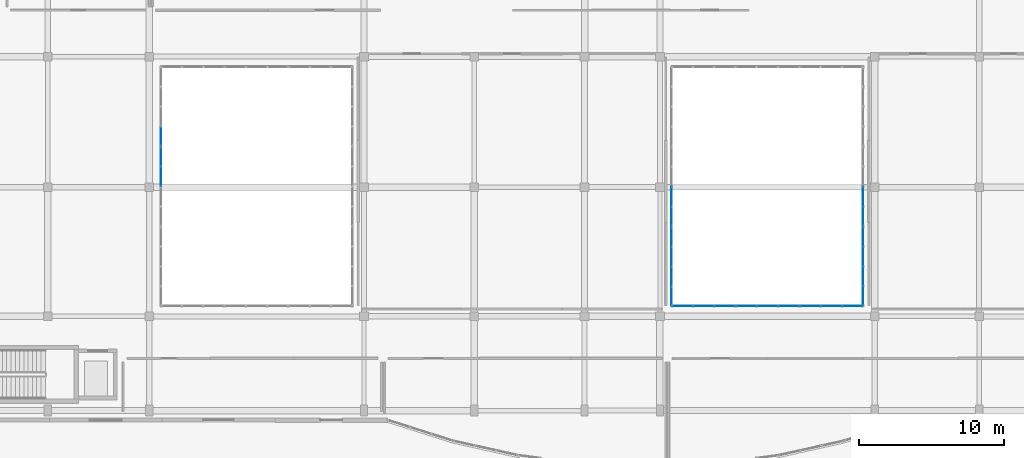
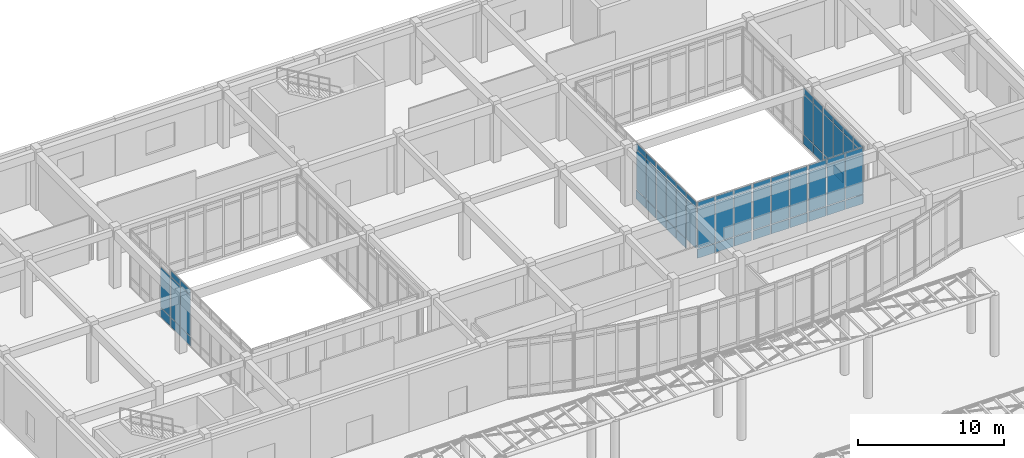
# One storey, part 85 of 121: 70 plates, 9 elements without a shape of their own.
"""IFC4 building model written with IfcOpenShell, lengths in metres."""

from ifc_helpers import new_model, si_unit, direction, frame, origin, origin_2d, place, context, subcontext, project, spatial, rectangle, extrude, material, layer, layer_set, type_object, element, aggregate, save


model = new_model("IFC4")

# Units and contexts
model_context = context("Model", 3, precision=1e-05, world=origin(), true_north=direction((0.0, 1.0)))
body_context = subcontext(model_context, "Body", "Model", "MODEL_VIEW")
ifc_project = project(units=[si_unit("LENGTHUNIT", "METRE"), si_unit("AREAUNIT", "SQUARE_METRE"), si_unit("VOLUMEUNIT", "CUBIC_METRE"), si_unit("PLANEANGLEUNIT", "RADIAN"), si_unit("MASSUNIT", "GRAM", prefix="KILO")], contexts=[model_context])

# Site, building, storey
site_placement = place(None, origin())
site = spatial("IfcSite", under=ifc_project, at=site_placement, CompositionType="ELEMENT")
building_placement = place(site_placement, origin())
building = spatial("IfcBuilding", under=site, at=building_placement, Name="Valcora Specialist Clinic", CompositionType="ELEMENT")
storey_placement = place(building_placement, origin())
storey = spatial("IfcBuildingStorey", under=building, at=storey_placement, Name="L00", CompositionType="ELEMENT", Elevation=0.0)

# Curtain wall, plate
ifc_material_1 = material(Name="Anodized Bronze Aluminium 6063-T6", Category="aluminium")
ifc_layer_1 = layer(ifc_material_1, 0.175048828125)
ifc_layer_set_1 = layer_set([ifc_layer_1], Name="Anodized Bronze Aluminium 6063-T6")
curtain_wall_type = type_object("IfcCurtainWallType", Name="TY-CW-CRT15", PredefinedType="NOTDEFINED", material=ifc_layer_set_1)
curtain_wall_1_placement = place(storey_placement, origin())
curtain_wall_1 = element("IfcCurtainWall", 1, at=curtain_wall_1_placement, inside=storey, type_object=curtain_wall_type, Name="Curtain wall CW-L00-038", PredefinedType="NOTDEFINED")
ifc_material_2 = material(Name="Low-E Laminated Insulating Glass", Category="glass")
ifc_layer_2 = layer(ifc_material_2, 0.028076171875)
ifc_layer_set_2 = layer_set([ifc_layer_2], Name="Low-E Laminated Insulating Glass")
plate_type_1 = type_object("IfcPlateType", Name="TY-CWP-GLZ28", PredefinedType="CURTAIN_PANEL", material=ifc_layer_set_2)
plate_1_placement = place(storey_placement, frame((76.800048828125, 93.703857421875, 0.88232421875), z_axis=(0.0, 0.0, 1.0), x_axis=(0.0, -1.0, 0.0)))
plate_1 = element("IfcPlate", 2, at=plate_1_placement, type_object=plate_type_1, Name="CW-CRT-15 panel 4.2", PredefinedType="CURTAIN_PANEL", context=body_context, shape_type="SweptSolid", body=[
    extrude(rectangle(XDim=1.277587890625, YDim=0.028076171875, at=origin_2d()), origin(), (0.0, 0.0, 1.0), 3.344970703125),
])

# Curtain wall, plates
curtain_wall_2_placement = place(storey_placement, origin())
curtain_wall_2 = element("IfcCurtainWall", 3, at=curtain_wall_2_placement, inside=storey, type_object=curtain_wall_type, Name="Curtain wall CW-L00-042", PredefinedType="NOTDEFINED")
plate_2_placement = place(storey_placement, frame((117.149658203125, 82.0, 0.88232421875), z_axis=(0.0, 0.0, 1.0), x_axis=(1.0, 0.0, 0.0)))
plate_2 = element("IfcPlate", 4, at=plate_2_placement, type_object=plate_type_1, Name="CW-CRT-15 panel 1.2", PredefinedType="CURTAIN_PANEL", context=body_context, shape_type="SweptSolid", body=[
    extrude(rectangle(XDim=1.369140625, YDim=0.028076171875, at=origin_2d()), origin(), (0.0, 0.0, 1.0), 3.344970703125),
])
plate_3_placement = place(storey_placement, frame((117.149658203125, 82.0, 4.29248046875), z_axis=(0.0, 0.0, 1.0), x_axis=(1.0, 0.0, 0.0)))
plate_3 = element("IfcPlate", 5, at=plate_3_placement, type_object=plate_type_1, Name="CW-CRT-15 panel 1.3", PredefinedType="CURTAIN_PANEL", context=body_context, shape_type="SweptSolid", body=[
    extrude(rectangle(XDim=1.369140625, YDim=0.028076171875, at=origin_2d()), origin(), (0.0, 0.0, 1.0), 0.452392578125),
])
plate_4_placement = place(storey_placement, frame((118.60009765625, 82.0, 0.88232421875), z_axis=(0.0, 0.0, 1.0), x_axis=(1.0, 0.0, 0.0)))
plate_4 = element("IfcPlate", 6, at=plate_4_placement, type_object=plate_type_1, Name="CW-CRT-15 panel 2.2", PredefinedType="CURTAIN_PANEL", context=body_context, shape_type="SweptSolid", body=[
    extrude(rectangle(XDim=1.401611328125, YDim=0.028076171875, at=origin_2d()), origin(), (0.0, 0.0, 1.0), 3.344970703125),
])
plate_5_placement = place(storey_placement, frame((118.60009765625, 82.0, 4.29248046875), z_axis=(0.0, 0.0, 1.0), x_axis=(1.0, 0.0, 0.0)))
plate_5 = element("IfcPlate", 7, at=plate_5_placement, type_object=plate_type_1, Name="CW-CRT-15 panel 2.3", PredefinedType="CURTAIN_PANEL", context=body_context, shape_type="SweptSolid", body=[
    extrude(rectangle(XDim=1.401611328125, YDim=0.028076171875, at=origin_2d()), origin(), (0.0, 0.0, 1.0), 0.452392578125),
])
plate_6_placement = place(storey_placement, frame((120.050537109375, 82.0, 0.88232421875), z_axis=(0.0, 0.0, 1.0), x_axis=(1.0, 0.0, 0.0)))
plate_6 = element("IfcPlate", 8, at=plate_6_placement, type_object=plate_type_1, Name="CW-CRT-15 panel 3.2", PredefinedType="CURTAIN_PANEL", context=body_context, shape_type="SweptSolid", body=[
    extrude(rectangle(XDim=1.369140625, YDim=0.028076171875, at=origin_2d()), origin(), (0.0, 0.0, 1.0), 3.344970703125),
])
plate_7_placement = place(storey_placement, frame((120.050537109375, 82.0, 4.29248046875), z_axis=(0.0, 0.0, 1.0), x_axis=(1.0, 0.0, 0.0)))
plate_7 = element("IfcPlate", 9, at=plate_7_placement, type_object=plate_type_1, Name="CW-CRT-15 panel 3.3", PredefinedType="CURTAIN_PANEL", context=body_context, shape_type="SweptSolid", body=[
    extrude(rectangle(XDim=1.369140625, YDim=0.028076171875, at=origin_2d()), origin(), (0.0, 0.0, 1.0), 0.452392578125),
])

curtain_wall_3_placement = place(storey_placement, origin())
curtain_wall_3 = element("IfcCurtainWall", 10, at=curtain_wall_3_placement, inside=storey, type_object=curtain_wall_type, Name="Curtain wall CW-L00-044", PredefinedType="NOTDEFINED")
plate_8_placement = place(storey_placement, frame((125.199951171875, 82.703857421875, 0.88232421875), z_axis=(0.0, 0.0, 1.0), x_axis=(0.0, 1.0, 0.0)))
plate_8 = element("IfcPlate", 11, at=plate_8_placement, type_object=plate_type_1, Name="CW-CRT-15 panel 1.2", PredefinedType="CURTAIN_PANEL", context=body_context, shape_type="SweptSolid", body=[
    extrude(rectangle(XDim=1.277587890625, YDim=0.028076171875, at=origin_2d()), origin(), (0.0, 0.0, 1.0), 3.344970703125),
])
plate_9_placement = place(storey_placement, frame((125.199951171875, 82.703857421875, 4.29248046875), z_axis=(0.0, 0.0, 1.0), x_axis=(0.0, 1.0, 0.0)))
plate_9 = element("IfcPlate", 12, at=plate_9_placement, type_object=plate_type_1, Name="CW-CRT-15 panel 1.3", PredefinedType="CURTAIN_PANEL", context=body_context, shape_type="SweptSolid", body=[
    extrude(rectangle(XDim=1.277587890625, YDim=0.028076171875, at=origin_2d()), origin(), (0.0, 0.0, 1.0), 0.452392578125),
])
plate_10_placement = place(storey_placement, frame((125.199951171875, 84.0625, 0.88232421875), z_axis=(0.0, 0.0, 1.0), x_axis=(0.0, 1.0, 0.0)))
plate_10 = element("IfcPlate", 13, at=plate_10_placement, type_object=plate_type_1, Name="CW-CRT-15 panel 2.2", PredefinedType="CURTAIN_PANEL", context=body_context, shape_type="SweptSolid", body=[
    extrude(rectangle(XDim=1.31005859375, YDim=0.028076171875, at=origin_2d()), origin(), (0.0, 0.0, 1.0), 3.344970703125),
])
plate_11_placement = place(storey_placement, frame((125.199951171875, 84.0625, 4.29248046875), z_axis=(0.0, 0.0, 1.0), x_axis=(0.0, 1.0, 0.0)))
plate_11 = element("IfcPlate", 14, at=plate_11_placement, type_object=plate_type_1, Name="CW-CRT-15 panel 2.3", PredefinedType="CURTAIN_PANEL", context=body_context, shape_type="SweptSolid", body=[
    extrude(rectangle(XDim=1.31005859375, YDim=0.028076171875, at=origin_2d()), origin(), (0.0, 0.0, 1.0), 0.452392578125),
])
plate_12_placement = place(storey_placement, frame((125.199951171875, 85.4375, 0.88232421875), z_axis=(0.0, 0.0, 1.0), x_axis=(0.0, 1.0, 0.0)))
plate_12 = element("IfcPlate", 15, at=plate_12_placement, type_object=plate_type_1, Name="CW-CRT-15 panel 3.2", PredefinedType="CURTAIN_PANEL", context=body_context, shape_type="SweptSolid", body=[
    extrude(rectangle(XDim=1.31005859375, YDim=0.028076171875, at=origin_2d()), origin(), (0.0, 0.0, 1.0), 3.344970703125),
])
plate_13_placement = place(storey_placement, frame((125.199951171875, 85.4375, 4.29248046875), z_axis=(0.0, 0.0, 1.0), x_axis=(0.0, 1.0, 0.0)))
plate_13 = element("IfcPlate", 16, at=plate_13_placement, type_object=plate_type_1, Name="CW-CRT-15 panel 3.3", PredefinedType="CURTAIN_PANEL", context=body_context, shape_type="SweptSolid", body=[
    extrude(rectangle(XDim=1.31005859375, YDim=0.028076171875, at=origin_2d()), origin(), (0.0, 0.0, 1.0), 0.452392578125),
])
plate_14_placement = place(storey_placement, frame((125.199951171875, 86.796142578125, 0.88232421875), z_axis=(0.0, 0.0, 1.0), x_axis=(0.0, 1.0, 0.0)))
plate_14 = element("IfcPlate", 17, at=plate_14_placement, type_object=plate_type_1, Name="CW-CRT-15 panel 4.2", PredefinedType="CURTAIN_PANEL", context=body_context, shape_type="SweptSolid", body=[
    extrude(rectangle(XDim=1.277587890625, YDim=0.028076171875, at=origin_2d()), origin(), (0.0, 0.0, 1.0), 3.344970703125),
])
plate_15_placement = place(storey_placement, frame((125.199951171875, 86.796142578125, 4.29248046875), z_axis=(0.0, 0.0, 1.0), x_axis=(0.0, 1.0, 0.0)))
plate_15 = element("IfcPlate", 18, at=plate_15_placement, type_object=plate_type_1, Name="CW-CRT-15 panel 4.3", PredefinedType="CURTAIN_PANEL", context=body_context, shape_type="SweptSolid", body=[
    extrude(rectangle(XDim=1.277587890625, YDim=0.028076171875, at=origin_2d()), origin(), (0.0, 0.0, 1.0), 0.452392578125),
])

curtain_wall_4_placement = place(storey_placement, origin())
curtain_wall_4 = element("IfcCurtainWall", 19, at=curtain_wall_4_placement, inside=storey, type_object=curtain_wall_type, Name="Curtain wall CW-L00-052", PredefinedType="NOTDEFINED")
plate_16_placement = place(storey_placement, frame((112.0, 86.796142578125, 0.88232421875), z_axis=(0.0, 0.0, 1.0), x_axis=(0.0, -1.0, 0.0)))
plate_16 = element("IfcPlate", 20, at=plate_16_placement, type_object=plate_type_1, Name="CW-CRT-15 panel 1.2", PredefinedType="CURTAIN_PANEL", context=body_context, shape_type="SweptSolid", body=[
    extrude(rectangle(XDim=1.277587890625, YDim=0.028076171875, at=origin_2d()), origin(), (0.0, 0.0, 1.0), 3.344970703125),
])
plate_17_placement = place(storey_placement, frame((112.0, 86.796142578125, 4.29248046875), z_axis=(0.0, 0.0, 1.0), x_axis=(0.0, -1.0, 0.0)))
plate_17 = element("IfcPlate", 21, at=plate_17_placement, type_object=plate_type_1, Name="CW-CRT-15 panel 1.3", PredefinedType="CURTAIN_PANEL", context=body_context, shape_type="SweptSolid", body=[
    extrude(rectangle(XDim=1.277587890625, YDim=0.028076171875, at=origin_2d()), origin(), (0.0, 0.0, 1.0), 0.452392578125),
])
plate_18_placement = place(storey_placement, frame((112.0, 85.4375, 0.88232421875), z_axis=(0.0, 0.0, 1.0), x_axis=(0.0, -1.0, 0.0)))
plate_18 = element("IfcPlate", 22, at=plate_18_placement, type_object=plate_type_1, Name="CW-CRT-15 panel 2.2", PredefinedType="CURTAIN_PANEL", context=body_context, shape_type="SweptSolid", body=[
    extrude(rectangle(XDim=1.31005859375, YDim=0.028076171875, at=origin_2d()), origin(), (0.0, 0.0, 1.0), 3.344970703125),
])
plate_19_placement = place(storey_placement, frame((112.0, 85.4375, 4.29248046875), z_axis=(0.0, 0.0, 1.0), x_axis=(0.0, -1.0, 0.0)))
plate_19 = element("IfcPlate", 23, at=plate_19_placement, type_object=plate_type_1, Name="CW-CRT-15 panel 2.3", PredefinedType="CURTAIN_PANEL", context=body_context, shape_type="SweptSolid", body=[
    extrude(rectangle(XDim=1.31005859375, YDim=0.028076171875, at=origin_2d()), origin(), (0.0, 0.0, 1.0), 0.452392578125),
])
plate_20_placement = place(storey_placement, frame((112.0, 84.0625, 0.88232421875), z_axis=(0.0, 0.0, 1.0), x_axis=(0.0, -1.0, 0.0)))
plate_20 = element("IfcPlate", 24, at=plate_20_placement, type_object=plate_type_1, Name="CW-CRT-15 panel 3.2", PredefinedType="CURTAIN_PANEL", context=body_context, shape_type="SweptSolid", body=[
    extrude(rectangle(XDim=1.31005859375, YDim=0.028076171875, at=origin_2d()), origin(), (0.0, 0.0, 1.0), 3.344970703125),
])
plate_21_placement = place(storey_placement, frame((112.0, 84.0625, 4.29248046875), z_axis=(0.0, 0.0, 1.0), x_axis=(0.0, -1.0, 0.0)))
plate_21 = element("IfcPlate", 25, at=plate_21_placement, type_object=plate_type_1, Name="CW-CRT-15 panel 3.3", PredefinedType="CURTAIN_PANEL", context=body_context, shape_type="SweptSolid", body=[
    extrude(rectangle(XDim=1.31005859375, YDim=0.028076171875, at=origin_2d()), origin(), (0.0, 0.0, 1.0), 0.452392578125),
])
plate_22_placement = place(storey_placement, frame((112.0, 82.703857421875, 0.88232421875), z_axis=(0.0, 0.0, 1.0), x_axis=(0.0, -1.0, 0.0)))
plate_22 = element("IfcPlate", 26, at=plate_22_placement, type_object=plate_type_1, Name="CW-CRT-15 panel 4.2", PredefinedType="CURTAIN_PANEL", context=body_context, shape_type="SweptSolid", body=[
    extrude(rectangle(XDim=1.277587890625, YDim=0.028076171875, at=origin_2d()), origin(), (0.0, 0.0, 1.0), 3.344970703125),
])
plate_23_placement = place(storey_placement, frame((112.0, 82.703857421875, 4.29248046875), z_axis=(0.0, 0.0, 1.0), x_axis=(0.0, -1.0, 0.0)))
plate_23 = element("IfcPlate", 27, at=plate_23_placement, type_object=plate_type_1, Name="CW-CRT-15 panel 4.3", PredefinedType="CURTAIN_PANEL", context=body_context, shape_type="SweptSolid", body=[
    extrude(rectangle(XDim=1.277587890625, YDim=0.028076171875, at=origin_2d()), origin(), (0.0, 0.0, 1.0), 0.452392578125),
])

curtain_wall_5_placement = place(storey_placement, origin())
curtain_wall_5 = element("IfcCurtainWall", 28, at=curtain_wall_5_placement, inside=storey, type_object=curtain_wall_type, Name="Curtain wall CW-L00-039", PredefinedType="NOTDEFINED")
ifc_layer_3 = layer(ifc_material_2, 0.033935546875)
ifc_layer_set_3 = layer_set([ifc_layer_3], Name="Low-E Laminated Insulating Glass")
plate_type_2 = type_object("IfcPlateType", Name="TY-CWP-GLZ34", PredefinedType="CURTAIN_PANEL", material=ifc_layer_set_3)
plate_24_placement = place(storey_placement, frame((76.800048828125, 92.296142578125, 0.88232421875), z_axis=(0.0, 0.0, 1.0), x_axis=(0.0, -1.0, 0.0)))
plate_24 = element("IfcPlate", 29, at=plate_24_placement, type_object=plate_type_2, Name="CW-CRT-15 panel 1.2", PredefinedType="CURTAIN_PANEL", context=body_context, shape_type="SweptSolid", body=[
    extrude(rectangle(XDim=1.277587890625, YDim=0.033935546875, at=origin_2d()), origin(), (0.0, 0.0, 1.0), 3.344970703125),
])
plate_25_placement = place(storey_placement, frame((76.800048828125, 92.296142578125, 4.29248046875), z_axis=(0.0, 0.0, 1.0), x_axis=(0.0, -1.0, 0.0)))
plate_25 = element("IfcPlate", 30, at=plate_25_placement, type_object=plate_type_2, Name="CW-CRT-15 panel 1.3", PredefinedType="CURTAIN_PANEL", context=body_context, shape_type="SweptSolid", body=[
    extrude(rectangle(XDim=1.277587890625, YDim=0.033935546875, at=origin_2d()), origin(), (0.0, 0.0, 1.0), 0.452392578125),
])
plate_26_placement = place(storey_placement, frame((76.800048828125, 90.9375, 0.88232421875), z_axis=(0.0, 0.0, 1.0), x_axis=(0.0, -1.0, 0.0)))
plate_26 = element("IfcPlate", 31, at=plate_26_placement, type_object=plate_type_2, Name="CW-CRT-15 panel 2.2", PredefinedType="CURTAIN_PANEL", context=body_context, shape_type="SweptSolid", body=[
    extrude(rectangle(XDim=1.31005859375, YDim=0.033935546875, at=origin_2d()), origin(), (0.0, 0.0, 1.0), 3.344970703125),
])
plate_27_placement = place(storey_placement, frame((76.800048828125, 90.9375, 4.29248046875), z_axis=(0.0, 0.0, 1.0), x_axis=(0.0, -1.0, 0.0)))
plate_27 = element("IfcPlate", 32, at=plate_27_placement, type_object=plate_type_2, Name="CW-CRT-15 panel 2.3", PredefinedType="CURTAIN_PANEL", context=body_context, shape_type="SweptSolid", body=[
    extrude(rectangle(XDim=1.31005859375, YDim=0.033935546875, at=origin_2d()), origin(), (0.0, 0.0, 1.0), 0.452392578125),
])

curtain_wall_6_placement = place(storey_placement, origin())
curtain_wall_6 = element("IfcCurtainWall", 33, at=curtain_wall_6_placement, inside=storey, type_object=curtain_wall_type, Name="Curtain wall CW-L00-041", PredefinedType="NOTDEFINED")
plate_28_placement = place(storey_placement, frame((112.74951171875, 82.0, 0.88232421875), z_axis=(0.0, 0.0, 1.0), x_axis=(1.0, 0.0, 0.0)))
plate_28 = element("IfcPlate", 34, at=plate_28_placement, type_object=plate_type_2, Name="CW-CRT-15 panel 1.2", PredefinedType="CURTAIN_PANEL", context=body_context, shape_type="SweptSolid", body=[
    extrude(rectangle(XDim=1.369140625, YDim=0.033935546875, at=origin_2d()), origin(), (0.0, 0.0, 1.0), 3.344970703125),
])
plate_29_placement = place(storey_placement, frame((112.74951171875, 82.0, 4.29248046875), z_axis=(0.0, 0.0, 1.0), x_axis=(1.0, 0.0, 0.0)))
plate_29 = element("IfcPlate", 35, at=plate_29_placement, type_object=plate_type_2, Name="CW-CRT-15 panel 1.3", PredefinedType="CURTAIN_PANEL", context=body_context, shape_type="SweptSolid", body=[
    extrude(rectangle(XDim=1.369140625, YDim=0.033935546875, at=origin_2d()), origin(), (0.0, 0.0, 1.0), 0.452392578125),
])
plate_30_placement = place(storey_placement, frame((114.199951171875, 82.0, 0.88232421875), z_axis=(0.0, 0.0, 1.0), x_axis=(1.0, 0.0, 0.0)))
plate_30 = element("IfcPlate", 36, at=plate_30_placement, type_object=plate_type_2, Name="CW-CRT-15 panel 2.2", PredefinedType="CURTAIN_PANEL", context=body_context, shape_type="SweptSolid", body=[
    extrude(rectangle(XDim=1.401611328125, YDim=0.033935546875, at=origin_2d()), origin(), (0.0, 0.0, 1.0), 3.344970703125),
])
plate_31_placement = place(storey_placement, frame((114.199951171875, 82.0, 4.29248046875), z_axis=(0.0, 0.0, 1.0), x_axis=(1.0, 0.0, 0.0)))
plate_31 = element("IfcPlate", 37, at=plate_31_placement, type_object=plate_type_2, Name="CW-CRT-15 panel 2.3", PredefinedType="CURTAIN_PANEL", context=body_context, shape_type="SweptSolid", body=[
    extrude(rectangle(XDim=1.401611328125, YDim=0.033935546875, at=origin_2d()), origin(), (0.0, 0.0, 1.0), 0.452392578125),
])
plate_32_placement = place(storey_placement, frame((115.650390625, 82.0, 0.88232421875), z_axis=(0.0, 0.0, 1.0), x_axis=(1.0, 0.0, 0.0)))
plate_32 = element("IfcPlate", 38, at=plate_32_placement, type_object=plate_type_2, Name="CW-CRT-15 panel 3.2", PredefinedType="CURTAIN_PANEL", context=body_context, shape_type="SweptSolid", body=[
    extrude(rectangle(XDim=1.369140625, YDim=0.033935546875, at=origin_2d()), origin(), (0.0, 0.0, 1.0), 3.344970703125),
])
plate_33_placement = place(storey_placement, frame((115.650390625, 82.0, 4.29248046875), z_axis=(0.0, 0.0, 1.0), x_axis=(1.0, 0.0, 0.0)))
plate_33 = element("IfcPlate", 39, at=plate_33_placement, type_object=plate_type_2, Name="CW-CRT-15 panel 3.3", PredefinedType="CURTAIN_PANEL", context=body_context, shape_type="SweptSolid", body=[
    extrude(rectangle(XDim=1.369140625, YDim=0.033935546875, at=origin_2d()), origin(), (0.0, 0.0, 1.0), 0.452392578125),
])

curtain_wall_7_placement = place(storey_placement, origin())
curtain_wall_7 = element("IfcCurtainWall", 40, at=curtain_wall_7_placement, inside=storey, type_object=curtain_wall_type, Name="Curtain wall CW-L00-043", PredefinedType="NOTDEFINED")
plate_34_placement = place(storey_placement, frame((121.549560546875, 82.0, 0.88232421875), z_axis=(0.0, 0.0, 1.0), x_axis=(1.0, 0.0, 0.0)))
plate_34 = element("IfcPlate", 41, at=plate_34_placement, type_object=plate_type_2, Name="CW-CRT-15 panel 1.2", PredefinedType="CURTAIN_PANEL", context=body_context, shape_type="SweptSolid", body=[
    extrude(rectangle(XDim=1.369140625, YDim=0.033935546875, at=origin_2d()), origin(), (0.0, 0.0, 1.0), 3.344970703125),
])
plate_35_placement = place(storey_placement, frame((121.549560546875, 82.0, 4.29248046875), z_axis=(0.0, 0.0, 1.0), x_axis=(1.0, 0.0, 0.0)))
plate_35 = element("IfcPlate", 42, at=plate_35_placement, type_object=plate_type_2, Name="CW-CRT-15 panel 1.3", PredefinedType="CURTAIN_PANEL", context=body_context, shape_type="SweptSolid", body=[
    extrude(rectangle(XDim=1.369140625, YDim=0.033935546875, at=origin_2d()), origin(), (0.0, 0.0, 1.0), 0.452392578125),
])
plate_36_placement = place(storey_placement, frame((123.0, 82.0, 0.88232421875), z_axis=(0.0, 0.0, 1.0), x_axis=(1.0, 0.0, 0.0)))
plate_36 = element("IfcPlate", 43, at=plate_36_placement, type_object=plate_type_2, Name="CW-CRT-15 panel 2.2", PredefinedType="CURTAIN_PANEL", context=body_context, shape_type="SweptSolid", body=[
    extrude(rectangle(XDim=1.401611328125, YDim=0.033935546875, at=origin_2d()), origin(), (0.0, 0.0, 1.0), 3.344970703125),
])
plate_37_placement = place(storey_placement, frame((123.0, 82.0, 4.29248046875), z_axis=(0.0, 0.0, 1.0), x_axis=(1.0, 0.0, 0.0)))
plate_37 = element("IfcPlate", 44, at=plate_37_placement, type_object=plate_type_2, Name="CW-CRT-15 panel 2.3", PredefinedType="CURTAIN_PANEL", context=body_context, shape_type="SweptSolid", body=[
    extrude(rectangle(XDim=1.401611328125, YDim=0.033935546875, at=origin_2d()), origin(), (0.0, 0.0, 1.0), 0.452392578125),
])
plate_38_placement = place(storey_placement, frame((124.450439453125, 82.0, 0.88232421875), z_axis=(0.0, 0.0, 1.0), x_axis=(1.0, 0.0, 0.0)))
plate_38 = element("IfcPlate", 45, at=plate_38_placement, type_object=plate_type_2, Name="CW-CRT-15 panel 3.2", PredefinedType="CURTAIN_PANEL", context=body_context, shape_type="SweptSolid", body=[
    extrude(rectangle(XDim=1.369140625, YDim=0.033935546875, at=origin_2d()), origin(), (0.0, 0.0, 1.0), 3.344970703125),
])
plate_39_placement = place(storey_placement, frame((124.450439453125, 82.0, 4.29248046875), z_axis=(0.0, 0.0, 1.0), x_axis=(1.0, 0.0, 0.0)))
plate_39 = element("IfcPlate", 46, at=plate_39_placement, type_object=plate_type_2, Name="CW-CRT-15 panel 3.3", PredefinedType="CURTAIN_PANEL", context=body_context, shape_type="SweptSolid", body=[
    extrude(rectangle(XDim=1.369140625, YDim=0.033935546875, at=origin_2d()), origin(), (0.0, 0.0, 1.0), 0.452392578125),
])

curtain_wall_8_placement = place(storey_placement, origin())
curtain_wall_8 = element("IfcCurtainWall", 47, at=curtain_wall_8_placement, inside=storey, type_object=curtain_wall_type, Name="Curtain wall CW-L00-045", PredefinedType="NOTDEFINED")
plate_40_placement = place(storey_placement, frame((125.199951171875, 88.203857421875, 0.88232421875), z_axis=(0.0, 0.0, 1.0), x_axis=(0.0, 1.0, 0.0)))
plate_40 = element("IfcPlate", 48, at=plate_40_placement, type_object=plate_type_2, Name="CW-CRT-15 panel 1.2", PredefinedType="CURTAIN_PANEL", context=body_context, shape_type="SweptSolid", body=[
    extrude(rectangle(XDim=1.277587890625, YDim=0.033935546875, at=origin_2d()), origin(), (0.0, 0.0, 1.0), 3.344970703125),
])
plate_41_placement = place(storey_placement, frame((125.199951171875, 88.203857421875, 4.29248046875), z_axis=(0.0, 0.0, 1.0), x_axis=(0.0, 1.0, 0.0)))
plate_41 = element("IfcPlate", 49, at=plate_41_placement, type_object=plate_type_2, Name="CW-CRT-15 panel 1.3", PredefinedType="CURTAIN_PANEL", context=body_context, shape_type="SweptSolid", body=[
    extrude(rectangle(XDim=1.277587890625, YDim=0.033935546875, at=origin_2d()), origin(), (0.0, 0.0, 1.0), 0.452392578125),
])
plate_42_placement = place(storey_placement, frame((125.199951171875, 89.5625, 0.88232421875), z_axis=(0.0, 0.0, 1.0), x_axis=(0.0, 1.0, 0.0)))
plate_42 = element("IfcPlate", 50, at=plate_42_placement, type_object=plate_type_2, Name="CW-CRT-15 panel 2.2", PredefinedType="CURTAIN_PANEL", context=body_context, shape_type="SweptSolid", body=[
    extrude(rectangle(XDim=1.31005859375, YDim=0.033935546875, at=origin_2d()), origin(), (0.0, 0.0, 1.0), 3.344970703125),
])
plate_43_placement = place(storey_placement, frame((125.199951171875, 89.5625, 4.29248046875), z_axis=(0.0, 0.0, 1.0), x_axis=(0.0, 1.0, 0.0)))
plate_43 = element("IfcPlate", 51, at=plate_43_placement, type_object=plate_type_2, Name="CW-CRT-15 panel 2.3", PredefinedType="CURTAIN_PANEL", context=body_context, shape_type="SweptSolid", body=[
    extrude(rectangle(XDim=1.31005859375, YDim=0.033935546875, at=origin_2d()), origin(), (0.0, 0.0, 1.0), 0.452392578125),
])

curtain_wall_9_placement = place(storey_placement, origin())
curtain_wall_9 = element("IfcCurtainWall", 52, at=curtain_wall_9_placement, inside=storey, type_object=curtain_wall_type, Name="Curtain wall CW-L00-051", PredefinedType="NOTDEFINED")
plate_44_placement = place(storey_placement, frame((112.0, 89.5625, 0.88232421875), z_axis=(0.0, 0.0, 1.0), x_axis=(0.0, -1.0, 0.0)))
plate_44 = element("IfcPlate", 53, at=plate_44_placement, type_object=plate_type_2, Name="CW-CRT-15 panel 3.2", PredefinedType="CURTAIN_PANEL", context=body_context, shape_type="SweptSolid", body=[
    extrude(rectangle(XDim=1.31005859375, YDim=0.033935546875, at=origin_2d()), origin(), (0.0, 0.0, 1.0), 3.344970703125),
])
plate_45_placement = place(storey_placement, frame((112.0, 89.5625, 4.29248046875), z_axis=(0.0, 0.0, 1.0), x_axis=(0.0, -1.0, 0.0)))
plate_45 = element("IfcPlate", 54, at=plate_45_placement, type_object=plate_type_2, Name="CW-CRT-15 panel 3.3", PredefinedType="CURTAIN_PANEL", context=body_context, shape_type="SweptSolid", body=[
    extrude(rectangle(XDim=1.31005859375, YDim=0.033935546875, at=origin_2d()), origin(), (0.0, 0.0, 1.0), 0.452392578125),
])
plate_46_placement = place(storey_placement, frame((112.0, 88.203857421875, 0.88232421875), z_axis=(0.0, 0.0, 1.0), x_axis=(0.0, -1.0, 0.0)))
plate_46 = element("IfcPlate", 55, at=plate_46_placement, type_object=plate_type_2, Name="CW-CRT-15 panel 4.2", PredefinedType="CURTAIN_PANEL", context=body_context, shape_type="SweptSolid", body=[
    extrude(rectangle(XDim=1.277587890625, YDim=0.033935546875, at=origin_2d()), origin(), (0.0, 0.0, 1.0), 3.344970703125),
])
plate_47_placement = place(storey_placement, frame((112.0, 88.203857421875, 4.29248046875), z_axis=(0.0, 0.0, 1.0), x_axis=(0.0, -1.0, 0.0)))
plate_47 = element("IfcPlate", 56, at=plate_47_placement, type_object=plate_type_2, Name="CW-CRT-15 panel 4.3", PredefinedType="CURTAIN_PANEL", context=body_context, shape_type="SweptSolid", body=[
    extrude(rectangle(XDim=1.277587890625, YDim=0.033935546875, at=origin_2d()), origin(), (0.0, 0.0, 1.0), 0.452392578125),
])

# Plate
ifc_material_3 = material(Name="Insulated Spandrel Panel")
ifc_layer_4 = layer(ifc_material_3, 0.044921875)
ifc_layer_set_4 = layer_set([ifc_layer_4], Name="Insulated Spandrel Panel")
plate_type_3 = type_object("IfcPlateType", Name="TY-CWP-SPN45", PredefinedType="SHEET", material=ifc_layer_set_4)
plate_48_placement = place(storey_placement, frame((76.800048828125, 93.703857421875, 0.06494140625), z_axis=(0.0, 0.0, 1.0), x_axis=(0.0, -1.0, 0.0)))
plate_48 = element("IfcPlate", 57, at=plate_48_placement, type_object=plate_type_3, Name="CW-CRT-15 panel 4.1", PredefinedType="SHEET", context=body_context, shape_type="SweptSolid", body=[
    extrude(rectangle(XDim=1.277587890625, YDim=0.044921875, at=origin_2d()), origin(), (0.0, 0.0, 1.0), 0.75244140625),
])

aggregate(curtain_wall_1, [plate_48, plate_1])

plate_49_placement = place(storey_placement, frame((76.800048828125, 92.296142578125, 0.06494140625), z_axis=(0.0, 0.0, 1.0), x_axis=(0.0, -1.0, 0.0)))
plate_49 = element("IfcPlate", 58, at=plate_49_placement, type_object=plate_type_3, Name="CW-CRT-15 panel 1.1", PredefinedType="SHEET", context=body_context, shape_type="SweptSolid", body=[
    extrude(rectangle(XDim=1.277587890625, YDim=0.044921875, at=origin_2d()), origin(), (0.0, 0.0, 1.0), 0.75244140625),
])

plate_50_placement = place(storey_placement, frame((76.800048828125, 90.9375, 0.06494140625), z_axis=(0.0, 0.0, 1.0), x_axis=(0.0, -1.0, 0.0)))
plate_50 = element("IfcPlate", 59, at=plate_50_placement, type_object=plate_type_3, Name="CW-CRT-15 panel 2.1", PredefinedType="SHEET", context=body_context, shape_type="SweptSolid", body=[
    extrude(rectangle(XDim=1.31005859375, YDim=0.044921875, at=origin_2d()), origin(), (0.0, 0.0, 1.0), 0.75244140625),
])

aggregate(curtain_wall_5, [plate_49, plate_24, plate_25, plate_50, plate_26, plate_27])

plate_51_placement = place(storey_placement, frame((112.74951171875, 82.0, 0.06494140625), z_axis=(0.0, 0.0, 1.0), x_axis=(1.0, 0.0, 0.0)))
plate_51 = element("IfcPlate", 60, at=plate_51_placement, type_object=plate_type_3, Name="CW-CRT-15 panel 1.1", PredefinedType="SHEET", context=body_context, shape_type="SweptSolid", body=[
    extrude(rectangle(XDim=1.369140625, YDim=0.044921875, at=origin_2d()), origin(), (0.0, 0.0, 1.0), 0.75244140625),
])

plate_52_placement = place(storey_placement, frame((114.199951171875, 82.0, 0.06494140625), z_axis=(0.0, 0.0, 1.0), x_axis=(1.0, 0.0, 0.0)))
plate_52 = element("IfcPlate", 61, at=plate_52_placement, type_object=plate_type_3, Name="CW-CRT-15 panel 2.1", PredefinedType="SHEET", context=body_context, shape_type="SweptSolid", body=[
    extrude(rectangle(XDim=1.401611328125, YDim=0.044921875, at=origin_2d()), origin(), (0.0, 0.0, 1.0), 0.75244140625),
])

plate_53_placement = place(storey_placement, frame((115.650390625, 82.0, 0.06494140625), z_axis=(0.0, 0.0, 1.0), x_axis=(1.0, 0.0, 0.0)))
plate_53 = element("IfcPlate", 62, at=plate_53_placement, type_object=plate_type_3, Name="CW-CRT-15 panel 3.1", PredefinedType="SHEET", context=body_context, shape_type="SweptSolid", body=[
    extrude(rectangle(XDim=1.369140625, YDim=0.044921875, at=origin_2d()), origin(), (0.0, 0.0, 1.0), 0.75244140625),
])

aggregate(curtain_wall_6, [plate_51, plate_28, plate_29, plate_52, plate_30, plate_31, plate_53, plate_32, plate_33])

plate_54_placement = place(storey_placement, frame((117.149658203125, 82.0, 0.06494140625), z_axis=(0.0, 0.0, 1.0), x_axis=(1.0, 0.0, 0.0)))
plate_54 = element("IfcPlate", 63, at=plate_54_placement, type_object=plate_type_3, Name="CW-CRT-15 panel 1.1", PredefinedType="SHEET", context=body_context, shape_type="SweptSolid", body=[
    extrude(rectangle(XDim=1.369140625, YDim=0.044921875, at=origin_2d()), origin(), (0.0, 0.0, 1.0), 0.75244140625),
])

plate_55_placement = place(storey_placement, frame((118.60009765625, 82.0, 0.06494140625), z_axis=(0.0, 0.0, 1.0), x_axis=(1.0, 0.0, 0.0)))
plate_55 = element("IfcPlate", 64, at=plate_55_placement, type_object=plate_type_3, Name="CW-CRT-15 panel 2.1", PredefinedType="SHEET", context=body_context, shape_type="SweptSolid", body=[
    extrude(rectangle(XDim=1.401611328125, YDim=0.044921875, at=origin_2d()), origin(), (0.0, 0.0, 1.0), 0.75244140625),
])

plate_56_placement = place(storey_placement, frame((120.050537109375, 82.0, 0.06494140625), z_axis=(0.0, 0.0, 1.0), x_axis=(1.0, 0.0, 0.0)))
plate_56 = element("IfcPlate", 65, at=plate_56_placement, type_object=plate_type_3, Name="CW-CRT-15 panel 3.1", PredefinedType="SHEET", context=body_context, shape_type="SweptSolid", body=[
    extrude(rectangle(XDim=1.369140625, YDim=0.044921875, at=origin_2d()), origin(), (0.0, 0.0, 1.0), 0.75244140625),
])

aggregate(curtain_wall_2, [plate_54, plate_2, plate_3, plate_55, plate_4, plate_5, plate_56, plate_6, plate_7])

plate_57_placement = place(storey_placement, frame((121.549560546875, 82.0, 0.06494140625), z_axis=(0.0, 0.0, 1.0), x_axis=(1.0, 0.0, 0.0)))
plate_57 = element("IfcPlate", 66, at=plate_57_placement, type_object=plate_type_3, Name="CW-CRT-15 panel 1.1", PredefinedType="SHEET", context=body_context, shape_type="SweptSolid", body=[
    extrude(rectangle(XDim=1.369140625, YDim=0.044921875, at=origin_2d()), origin(), (0.0, 0.0, 1.0), 0.75244140625),
])

plate_58_placement = place(storey_placement, frame((123.0, 82.0, 0.06494140625), z_axis=(0.0, 0.0, 1.0), x_axis=(1.0, 0.0, 0.0)))
plate_58 = element("IfcPlate", 67, at=plate_58_placement, type_object=plate_type_3, Name="CW-CRT-15 panel 2.1", PredefinedType="SHEET", context=body_context, shape_type="SweptSolid", body=[
    extrude(rectangle(XDim=1.401611328125, YDim=0.044921875, at=origin_2d()), origin(), (0.0, 0.0, 1.0), 0.75244140625),
])

plate_59_placement = place(storey_placement, frame((124.450439453125, 82.0, 0.06494140625), z_axis=(0.0, 0.0, 1.0), x_axis=(1.0, 0.0, 0.0)))
plate_59 = element("IfcPlate", 68, at=plate_59_placement, type_object=plate_type_3, Name="CW-CRT-15 panel 3.1", PredefinedType="SHEET", context=body_context, shape_type="SweptSolid", body=[
    extrude(rectangle(XDim=1.369140625, YDim=0.044921875, at=origin_2d()), origin(), (0.0, 0.0, 1.0), 0.75244140625),
])

aggregate(curtain_wall_7, [plate_57, plate_34, plate_35, plate_58, plate_36, plate_37, plate_59, plate_38, plate_39])

plate_60_placement = place(storey_placement, frame((125.199951171875, 82.703857421875, 0.06494140625), z_axis=(0.0, 0.0, 1.0), x_axis=(0.0, 1.0, 0.0)))
plate_60 = element("IfcPlate", 69, at=plate_60_placement, type_object=plate_type_3, Name="CW-CRT-15 panel 1.1", PredefinedType="SHEET", context=body_context, shape_type="SweptSolid", body=[
    extrude(rectangle(XDim=1.277587890625, YDim=0.044921875, at=origin_2d()), origin(), (0.0, 0.0, 1.0), 0.75244140625),
])

plate_61_placement = place(storey_placement, frame((125.199951171875, 84.0625, 0.06494140625), z_axis=(0.0, 0.0, 1.0), x_axis=(0.0, 1.0, 0.0)))
plate_61 = element("IfcPlate", 70, at=plate_61_placement, type_object=plate_type_3, Name="CW-CRT-15 panel 2.1", PredefinedType="SHEET", context=body_context, shape_type="SweptSolid", body=[
    extrude(rectangle(XDim=1.31005859375, YDim=0.044921875, at=origin_2d()), origin(), (0.0, 0.0, 1.0), 0.75244140625),
])

plate_62_placement = place(storey_placement, frame((125.199951171875, 85.4375, 0.06494140625), z_axis=(0.0, 0.0, 1.0), x_axis=(0.0, 1.0, 0.0)))
plate_62 = element("IfcPlate", 71, at=plate_62_placement, type_object=plate_type_3, Name="CW-CRT-15 panel 3.1", PredefinedType="SHEET", context=body_context, shape_type="SweptSolid", body=[
    extrude(rectangle(XDim=1.31005859375, YDim=0.044921875, at=origin_2d()), origin(), (0.0, 0.0, 1.0), 0.75244140625),
])

plate_63_placement = place(storey_placement, frame((125.199951171875, 86.796142578125, 0.06494140625), z_axis=(0.0, 0.0, 1.0), x_axis=(0.0, 1.0, 0.0)))
plate_63 = element("IfcPlate", 72, at=plate_63_placement, type_object=plate_type_3, Name="CW-CRT-15 panel 4.1", PredefinedType="SHEET", context=body_context, shape_type="SweptSolid", body=[
    extrude(rectangle(XDim=1.277587890625, YDim=0.044921875, at=origin_2d()), origin(), (0.0, 0.0, 1.0), 0.75244140625),
])

aggregate(curtain_wall_3, [plate_60, plate_8, plate_9, plate_61, plate_10, plate_11, plate_62, plate_12, plate_13, plate_63, plate_14, plate_15])

plate_64_placement = place(storey_placement, frame((125.199951171875, 88.203857421875, 0.06494140625), z_axis=(0.0, 0.0, 1.0), x_axis=(0.0, 1.0, 0.0)))
plate_64 = element("IfcPlate", 73, at=plate_64_placement, type_object=plate_type_3, Name="CW-CRT-15 panel 1.1", PredefinedType="SHEET", context=body_context, shape_type="SweptSolid", body=[
    extrude(rectangle(XDim=1.277587890625, YDim=0.044921875, at=origin_2d()), origin(), (0.0, 0.0, 1.0), 0.75244140625),
])

plate_65_placement = place(storey_placement, frame((125.199951171875, 89.5625, 0.06494140625), z_axis=(0.0, 0.0, 1.0), x_axis=(0.0, 1.0, 0.0)))
plate_65 = element("IfcPlate", 74, at=plate_65_placement, type_object=plate_type_3, Name="CW-CRT-15 panel 2.1", PredefinedType="SHEET", context=body_context, shape_type="SweptSolid", body=[
    extrude(rectangle(XDim=1.31005859375, YDim=0.044921875, at=origin_2d()), origin(), (0.0, 0.0, 1.0), 0.75244140625),
])

aggregate(curtain_wall_8, [plate_64, plate_40, plate_41, plate_65, plate_42, plate_43])

plate_66_placement = place(storey_placement, frame((112.0, 89.5625, 0.06494140625), z_axis=(0.0, 0.0, 1.0), x_axis=(0.0, -1.0, 0.0)))
plate_66 = element("IfcPlate", 75, at=plate_66_placement, type_object=plate_type_3, Name="CW-CRT-15 panel 3.1", PredefinedType="SHEET", context=body_context, shape_type="SweptSolid", body=[
    extrude(rectangle(XDim=1.31005859375, YDim=0.044921875, at=origin_2d()), origin(), (0.0, 0.0, 1.0), 0.75244140625),
])

plate_67_placement = place(storey_placement, frame((112.0, 88.203857421875, 0.06494140625), z_axis=(0.0, 0.0, 1.0), x_axis=(0.0, -1.0, 0.0)))
plate_67 = element("IfcPlate", 76, at=plate_67_placement, type_object=plate_type_3, Name="CW-CRT-15 panel 4.1", PredefinedType="SHEET", context=body_context, shape_type="SweptSolid", body=[
    extrude(rectangle(XDim=1.277587890625, YDim=0.044921875, at=origin_2d()), origin(), (0.0, 0.0, 1.0), 0.75244140625),
])

aggregate(curtain_wall_9, [plate_66, plate_44, plate_45, plate_67, plate_46, plate_47])

plate_68_placement = place(storey_placement, frame((112.0, 86.796142578125, 0.06494140625), z_axis=(0.0, 0.0, 1.0), x_axis=(0.0, -1.0, 0.0)))
plate_68 = element("IfcPlate", 77, at=plate_68_placement, type_object=plate_type_3, Name="CW-CRT-15 panel 1.1", PredefinedType="SHEET", context=body_context, shape_type="SweptSolid", body=[
    extrude(rectangle(XDim=1.277587890625, YDim=0.044921875, at=origin_2d()), origin(), (0.0, 0.0, 1.0), 0.75244140625),
])

plate_69_placement = place(storey_placement, frame((112.0, 85.4375, 0.06494140625), z_axis=(0.0, 0.0, 1.0), x_axis=(0.0, -1.0, 0.0)))
plate_69 = element("IfcPlate", 78, at=plate_69_placement, type_object=plate_type_3, Name="CW-CRT-15 panel 2.1", PredefinedType="SHEET", context=body_context, shape_type="SweptSolid", body=[
    extrude(rectangle(XDim=1.31005859375, YDim=0.044921875, at=origin_2d()), origin(), (0.0, 0.0, 1.0), 0.75244140625),
])

plate_70_placement = place(storey_placement, frame((112.0, 84.0625, 0.06494140625), z_axis=(0.0, 0.0, 1.0), x_axis=(0.0, -1.0, 0.0)))
plate_70 = element("IfcPlate", 79, at=plate_70_placement, type_object=plate_type_3, Name="CW-CRT-15 panel 3.1", PredefinedType="SHEET", context=body_context, shape_type="SweptSolid", body=[
    extrude(rectangle(XDim=1.31005859375, YDim=0.044921875, at=origin_2d()), origin(), (0.0, 0.0, 1.0), 0.75244140625),
])

aggregate(curtain_wall_4, [plate_68, plate_16, plate_17, plate_69, plate_18, plate_19, plate_70, plate_20, plate_21, plate_22, plate_23])

save(model, "model.ifc")
